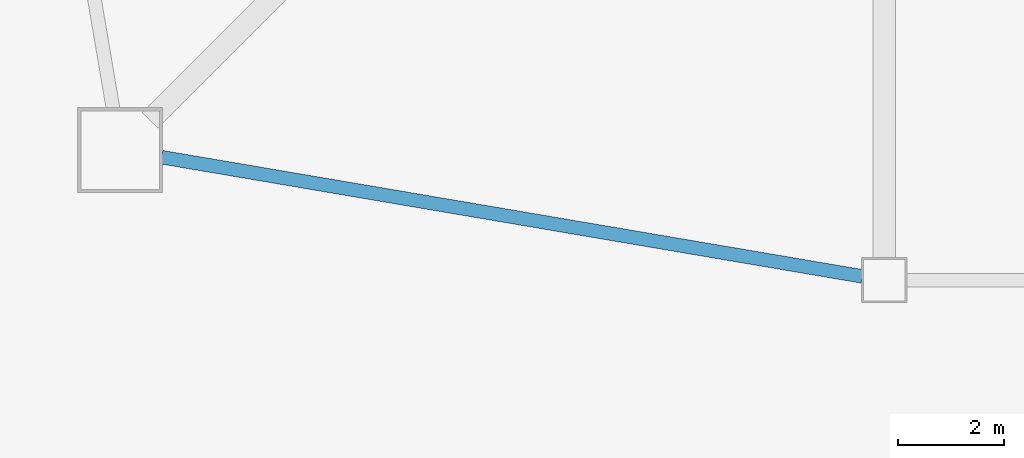
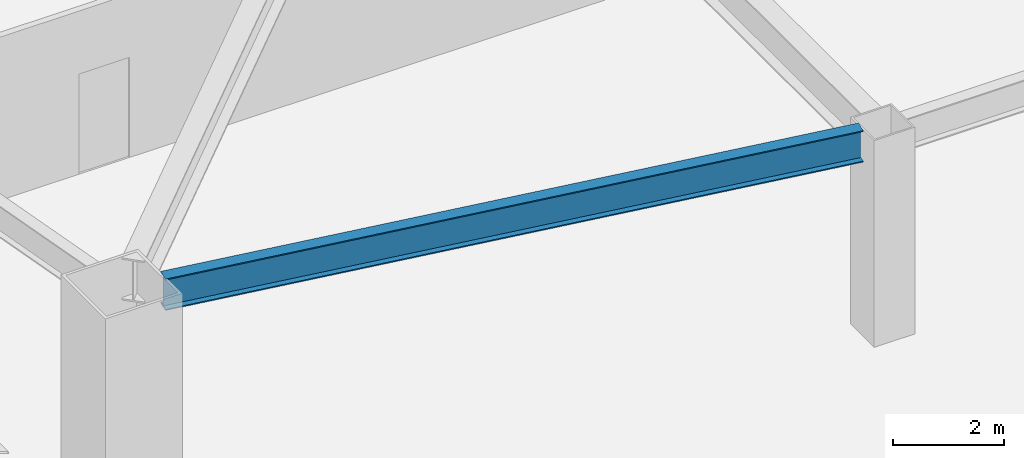
# One storey, part 7 of 44: 1 beam.
"""IFC4 building model written with IfcOpenShell, lengths in metres."""

from ifc_helpers import new_model, si_unit, direction, frame, origin, origin_2d, place, context, subcontext, project, spatial, i_section, extrude, material, material_profile, profile_set, type_object, element, save


model = new_model("IFC4")

# Units and contexts
model_context = context("Model", 3, precision=1e-05, world=origin(), true_north=direction((0.0, 1.0)))
body_context = subcontext(model_context, "Body", "Model", "MODEL_VIEW")
ifc_project = project(units=[si_unit("LENGTHUNIT", "METRE"), si_unit("AREAUNIT", "SQUARE_METRE"), si_unit("VOLUMEUNIT", "CUBIC_METRE"), si_unit("PLANEANGLEUNIT", "RADIAN"), si_unit("MASSUNIT", "GRAM", prefix="KILO")], contexts=[model_context])

# Site, building, storey
site_placement = place(None, origin())
site = spatial("IfcSite", under=ifc_project, at=site_placement, CompositionType="ELEMENT")
building_placement = place(site_placement, origin())
building = spatial("IfcBuilding", under=site, at=building_placement, Name="Tashvorn Skyway Center", CompositionType="ELEMENT")
storey_placement = place(building_placement, frame((0.0, 0.0, 5.39990234375)))
storey = spatial("IfcBuildingStorey", under=building, at=storey_placement, Name="L01", CompositionType="ELEMENT", Elevation=5.39990234375)

# Beam
ifc_material = material(Name="Steel ASTM A992 Grade 50", Category="steel")
ifc_material_profile = material_profile(ifc_material, i_section(OverallWidth=0.256103515625, OverallDepth=0.693115234375, WebThickness=0.014404296875, FlangeThickness=0.023681640625, at=origin_2d()), Name="W27X114")
ifc_profile_set = profile_set([ifc_material_profile], Name="Steel ASTM A992 Grade 50")
beam_type = type_object("IfcBeamType", Name="BM-SPANDREL-W27X114", PredefinedType="SPANDREL", material=ifc_profile_set)
beam_placement = place(storey_placement, frame((22.983642578125, 12.066650390625, 4.193603515625), z_axis=(0.985835025551, -0.16771792509, 0.0), x_axis=(0.16771792509, 0.985835025551, 0.0)))
element("IfcBeam", 1, at=beam_placement, inside=storey, type_object=beam_type, Name="Tower 1 L01 Spandrel Beam 01", PredefinedType="SPANDREL", context=body_context, shape_type="SweptSolid", body=[
    extrude(i_section(OverallWidth=0.256103515625, OverallDepth=0.693115234375, WebThickness=0.014404296875, FlangeThickness=0.023681640625, at=origin_2d()), origin(), (0.0, 0.0, 1.0), 13.39208984375),
])

save(model, "model.ifc")
